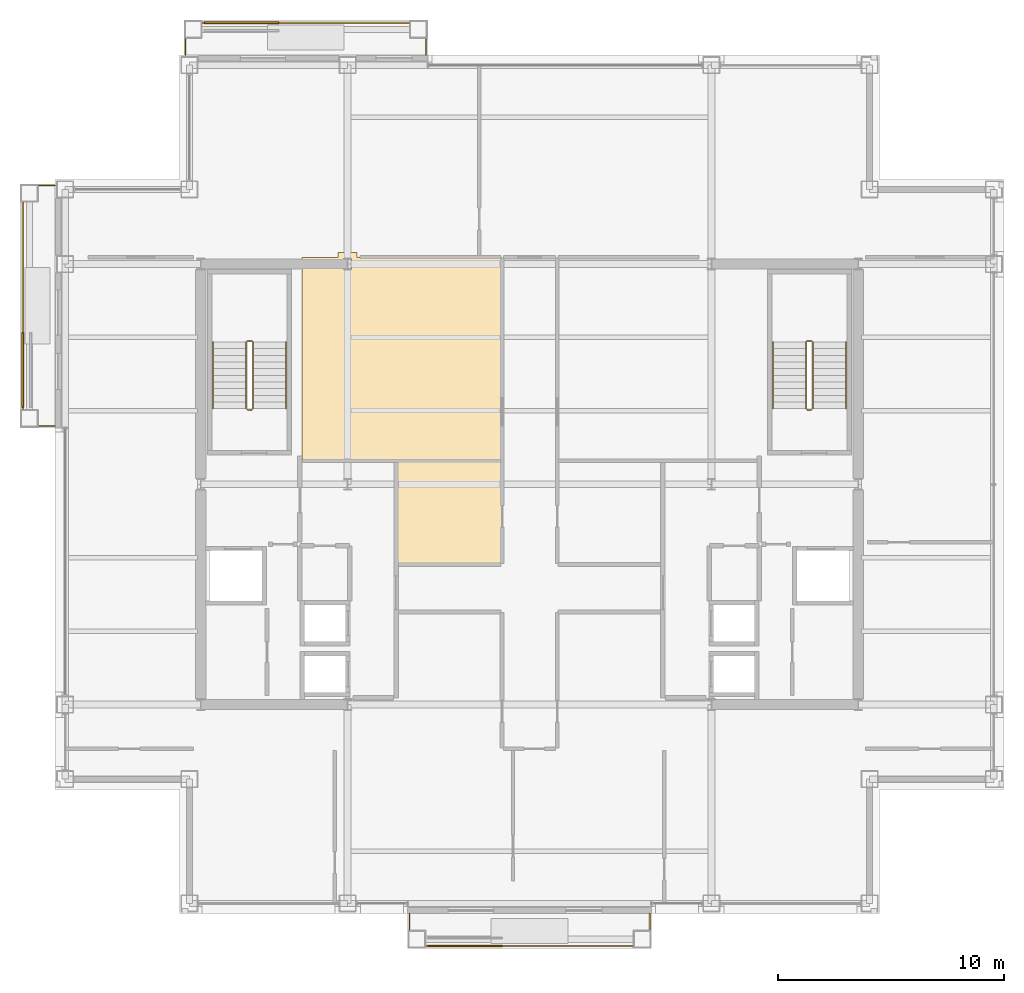
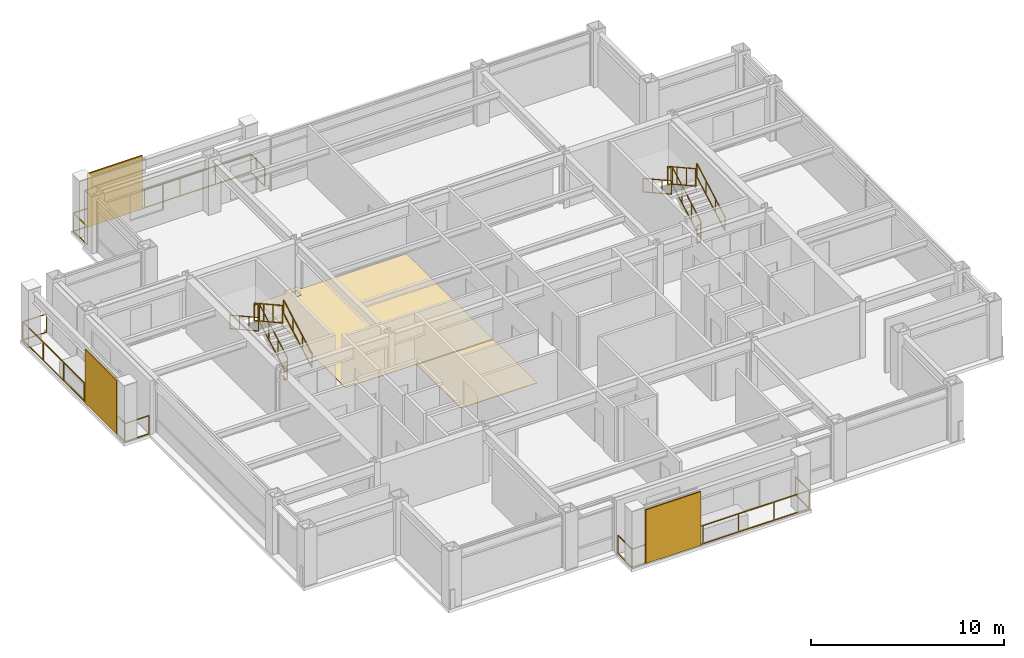
# One storey, part 26 of 27: 15 railings, 3 shading devices, 2 coverings.
"""IFC4 building model written with IfcOpenShell, lengths in metres."""

import ifcopenshell
import ifcopenshell.guid

model = None  # the IFC model being written
_history = None  # IfcOwnerHistory: only IFC2X3 demands one
_inside = {}  # id of a spatial element -> (the spatial element, [elements in it])
_under = {}  # id of a project, library or spatial element -> (it, [spatial elements below it])
_declared = {}  # id of a project -> (the project, [libraries it declares])
_typed = {}  # id of a type object -> (the type object, [elements of that type])
_made_of = {}  # id of a material, layer set ... -> (it, [elements and type objects made of it])


def new_model(schema):
    """Start an empty IFC model of exactly this schema.

    Asked for "IFC4X3", IfcOpenShell would pick the latest addendum, in which some entities
    have other attributes; the version numbers below select the first issue.
    IFC2X3 requires an IfcOwnerHistory on every rooted entity: one is made here for all.
    """
    global model, _history
    if schema == "IFC4X3":
        model = ifcopenshell.file(schema_version=(4, 3, 0, 0))
    else:
        model = ifcopenshell.file(schema=schema)
    _inside.clear()
    _under.clear()
    _declared.clear()
    _typed.clear()
    _made_of.clear()
    _history = None
    if model.schema == "IFC2X3":
        org = make("IfcOrganization", Name="unknown")
        user = make(
            "IfcPersonAndOrganization",
            ThePerson=make("IfcPerson", FamilyName="unknown"),
            TheOrganization=org,
        )
        app = make(
            "IfcApplication",
            ApplicationDeveloper=org,
            Version="unknown",
            ApplicationFullName="unknown",
            ApplicationIdentifier="unknown",
        )
        _history = make(
            "IfcOwnerHistory",
            OwningUser=user,
            OwningApplication=app,
            ChangeAction="ADDED",
            CreationDate=0,
        )
    return model


def make(cls, **values):
    """One entity of the class cls with the attributes given. An attribute that is None is left unset."""
    return model.create_entity(
        cls, **{name: value for name, value in values.items() if value is not None}
    )


def rooted(cls, **values):
    """An entity with a GlobalId (a new one), such as an element, a storey or a relation."""
    return make(cls, GlobalId=ifcopenshell.guid.new(), OwnerHistory=_history, **values)


def si_unit(unit_type, name, prefix=None):
    """IfcSIUnit, for example si_unit("LENGTHUNIT", "METRE", prefix="MILLI")."""
    return make("IfcSIUnit", UnitType=unit_type, Prefix=prefix, Name=name)


def assignment(units):
    """IfcUnitAssignment: the units of a project."""
    return None if units is None else make("IfcUnitAssignment", Units=units)


def point(xyz):
    """IfcCartesianPoint."""
    return None if xyz is None else make("IfcCartesianPoint", Coordinates=xyz)


def direction(xyz):
    """IfcDirection."""
    return None if xyz is None else make("IfcDirection", DirectionRatios=xyz)


def frame(location, z_axis=None, x_axis=None):
    """IfcAxis2Placement3D, a coordinate frame: its origin and axes. An axis left out is left unset."""
    return make(
        "IfcAxis2Placement3D",
        Location=point(location),
        Axis=direction(z_axis),
        RefDirection=direction(x_axis),
    )


def frame_2d(location, x_axis=None):
    """IfcAxis2Placement2D, a coordinate frame in the plane: its origin and x axis."""
    return make(
        "IfcAxis2Placement2D", Location=point(location), RefDirection=direction(x_axis)
    )


def origin():
    """The frame at (0, 0, 0) with its axes left unset."""
    return frame((0.0, 0.0, 0.0))


def origin_2d():
    """The frame at (0, 0) in the plane with its x axis left unset."""
    return frame_2d((0.0, 0.0))


def place(relative_to, where):
    """IfcLocalPlacement: puts the frame where relative to a parent placement (None: the world)."""
    return make(
        "IfcLocalPlacement", PlacementRelTo=relative_to, RelativePlacement=where
    )


def context(
    kind, dimensions, precision=None, world=None, true_north=None, identifier=None
):
    """IfcGeometricRepresentationContext, for example the 3D "Model" context."""
    return make(
        "IfcGeometricRepresentationContext",
        ContextIdentifier=identifier,
        ContextType=kind,
        CoordinateSpaceDimension=dimensions,
        Precision=precision,
        WorldCoordinateSystem=world,
        TrueNorth=true_north,
    )


def subcontext(parent, identifier, kind, view, scale=None):
    """IfcGeometricRepresentationSubContext, for example "Body" below "Model"."""
    return make(
        "IfcGeometricRepresentationSubContext",
        ContextIdentifier=identifier,
        ContextType=kind,
        ParentContext=parent,
        TargetScale=scale,
        TargetView=view,
    )


def project(units=None, contexts=None):
    """IfcProject with its units and contexts."""
    return rooted(
        "IfcProject",
        Name="project",
        RepresentationContexts=contexts,
        UnitsInContext=assignment(units),
    )


def spatial(cls, under=None, at=None, **own):
    """A site, building, storey or space (cls), placed at a placement, below another one or the project."""
    s = rooted(cls, ObjectPlacement=at, **own)
    if under is not None:
        _under.setdefault(under.id(), (under, []))[1].append(s)
    return s


def polyline(points):
    """IfcPolyline through the points."""
    return make("IfcPolyline", Points=[point(p) for p in points])


def profile(cls, at=None, kind="AREA", **sizes):
    """A parametric profile (cls). Its sizes go by their IFC names, for example OverallWidth=200.0."""
    return make(cls, ProfileType=kind, Position=at, **sizes)


def rectangle(**sizes):
    """IfcRectangleProfileDef."""
    return profile("IfcRectangleProfileDef", **sizes)


def outline(outer, holes=None, kind="AREA"):
    """IfcArbitraryClosedProfileDef: a profile drawn as a closed curve; with holes, ...WithVoids."""
    if holes is None:
        return make("IfcArbitraryClosedProfileDef", ProfileType=kind, OuterCurve=outer)
    return make(
        "IfcArbitraryProfileDefWithVoids",
        ProfileType=kind,
        OuterCurve=outer,
        InnerCurves=holes,
    )


def extrude(swept, where, along, depth):
    """IfcExtrudedAreaSolid: the profile swept, set in the frame where, extruded along a direction by depth."""
    return make(
        "IfcExtrudedAreaSolid",
        SweptArea=swept,
        Position=where,
        ExtrudedDirection=direction(along),
        Depth=depth,
    )


def shape(context_of_items, identifier, shape_type, items):
    """IfcShapeRepresentation: the items that make up one representation, for example the "Body"."""
    return make(
        "IfcShapeRepresentation",
        ContextOfItems=context_of_items,
        RepresentationIdentifier=identifier,
        RepresentationType=shape_type,
        Items=items,
    )


def material(Name=None, Category=None):
    """IfcMaterial."""
    return make("IfcMaterial", Name=Name, Category=Category)


def layer(
    of_material, thickness, ventilated=None, Name=None, Category=None, Priority=None
):
    """IfcMaterialLayer: one layer of a wall or slab, of a material (None: an air gap)."""
    return make(
        "IfcMaterialLayer",
        Material=of_material,
        LayerThickness=thickness,
        IsVentilated=ventilated,
        Name=Name,
        Category=Category,
        Priority=Priority,
    )


def layer_set(layers, Name=None):
    """IfcMaterialLayerSet."""
    return make("IfcMaterialLayerSet", MaterialLayers=layers, LayerSetName=Name)


def made_of(thing, what):
    """Note that an element or type object is made of a material, layer set ...; save() writes the relation."""
    if what is not None:
        _made_of.setdefault(what.id(), (what, []))[1].append(thing)
    return thing


def type_object(cls, material=None, **own):
    """A type object (cls), such as IfcWallType, which elements share."""
    return made_of(rooted(cls, **own), material)


def element(
    cls,
    number,
    at=None,
    inside=None,
    cuts=None,
    type_object=None,
    material=None,
    context=None,
    identifier="Body",
    shape_type=None,
    held_by="IfcProductDefinitionShape",
    body=None,
    shapes=None,
    **own,
):
    """One element of the class cls, such as IfcWall. Its Tag is "e" and its number.

    at: its placement. inside: the storey or other place that contains it. cuts: it is an
    opening in that element (IfcRelVoidsElement). A single representation is given by context,
    identifier, shape_type and body (its items); several are given by shapes. held_by: the class
    of the entity that holds the representations. save() writes the other relations.
    """
    e = rooted(cls, Tag="e%d" % number, ObjectPlacement=at, **own)
    if body is not None:
        shapes = [shape(context, identifier, shape_type, body)]
    if shapes is not None:
        e.Representation = make(held_by, Representations=shapes)
    if inside is not None:
        _inside.setdefault(inside.id(), (inside, []))[1].append(e)
    if cuts is not None:
        rooted(
            "IfcRelVoidsElement", RelatingBuildingElement=cuts, RelatedOpeningElement=e
        )
    if type_object is not None:
        _typed.setdefault(type_object.id(), (type_object, []))[1].append(e)
    return made_of(e, material)


def aggregate(whole, parts):
    """IfcRelAggregates: a whole, such as a stair, and the parts it consists of."""
    return rooted("IfcRelAggregates", RelatingObject=whole, RelatedObjects=parts)


def save(model, path):
    """Write the relations noted so far, then the file.

    IfcRelAggregates (storeys below a building ...), IfcRelContainedInSpatialStructure (elements
    in a storey), IfcRelDefinesByType, IfcRelAssociatesMaterial and IfcRelDeclares: one each for
    every whole, place, type object, material and project.
    """
    for whole, parts in _under.values():
        aggregate(whole, parts)
    for where, things in _inside.values():
        rooted(
            "IfcRelContainedInSpatialStructure",
            RelatedElements=things,
            RelatingStructure=where,
        )
    for kind, things in _typed.values():
        rooted("IfcRelDefinesByType", RelatedObjects=things, RelatingType=kind)
    for what, things in _made_of.values():
        rooted("IfcRelAssociatesMaterial", RelatedObjects=things, RelatingMaterial=what)
    for by, libraries in _declared.values():
        rooted("IfcRelDeclares", RelatingContext=by, RelatedDefinitions=libraries)
    model.write(path)


model = new_model("IFC4")

# Units and contexts
model_context = context("Model", 3, precision=1e-05, world=origin(), true_north=direction((0.0, 1.0)))
body_context = subcontext(model_context, "Body", "Model", "MODEL_VIEW")
ifc_project = project(units=[si_unit("LENGTHUNIT", "METRE"), si_unit("AREAUNIT", "SQUARE_METRE"), si_unit("VOLUMEUNIT", "CUBIC_METRE"), si_unit("PLANEANGLEUNIT", "RADIAN"), si_unit("MASSUNIT", "GRAM", prefix="KILO")], contexts=[model_context])

# Site, building, storey
site_placement = place(None, origin())
site = spatial("IfcSite", under=ifc_project, at=site_placement, CompositionType="ELEMENT")
building_placement = place(site_placement, origin())
building = spatial("IfcBuilding", under=site, at=building_placement, Name="Brelmoor Portico Tower", CompositionType="ELEMENT")
storey_placement = place(building_placement, frame((0.0, 0.0, 158.699951171875)))
storey = spatial("IfcBuildingStorey", under=building, at=storey_placement, Name="L41", CompositionType="ELEMENT", Elevation=158.699951171875)

# Coverings
ifc_material_1 = material(Name="Polished Pale-Aggregate Cementitious Terrazzo", Category="stone")
ifc_layer_1 = layer(ifc_material_1, 0.030029296875)
ifc_layer_set_1 = layer_set([ifc_layer_1], Name="Polished Pale-Aggregate Cementitious Terrazzo")
covering_type_1 = type_object("IfcCoveringType", Name="CV-FLR-TERRAZZO-30", PredefinedType="FLOORING", material=ifc_layer_set_1)
covering_1_placement = place(storey_placement, origin())
element("IfcCovering", 1, at=covering_1_placement, inside=storey, type_object=covering_type_1, Name="L41 Architectural Floor Finish 02", PredefinedType="FLOORING", context=body_context, shape_type="SweptSolid", body=[
    extrude(outline(polyline([(-5.820068359375, -3.510009765625), (-5.820068359375, 1.0400390625), (-1.239990234375, 1.0400390625), (-1.239990234375, -3.510009765625), (-5.820068359375, -3.510009765625)])), origin(), (0.0, 0.0, 1.0), 0.030029296875),
])
ifc_material_2 = material(Name="Engineered Quarter-Sawn Oak Parquet Flooring", Category="timber")
ifc_layer_2 = layer(ifc_material_2, 0.02197265625)
ifc_layer_set_2 = layer_set([ifc_layer_2], Name="Engineered Quarter-Sawn Oak Parquet Flooring")
covering_type_2 = type_object("IfcCoveringType", Name="CV-FLR-TIMBER-22", PredefinedType="FLOORING", material=ifc_layer_set_2)
covering_2_placement = place(storey_placement, origin())
element("IfcCovering", 2, at=covering_2_placement, inside=storey, type_object=covering_type_2, Name="L41 Architectural Floor Finish 01", PredefinedType="FLOORING", context=body_context, shape_type="SweptSolid", body=[
    extrude(outline(polyline([(-10.080078125, 10.030029296875), (-8.47509765625, 10.030029296875), (-8.47509765625, 10.25), (-7.625, 10.25), (-7.625, 10.030029296875), (-1.239990234375, 10.030029296875), (-1.239990234375, 1.090087890625), (-10.080078125, 1.090087890625), (-10.080078125, 10.030029296875)]), holes=[polyline([(-7.875, 9.5), (-7.875, 10.0), (-8.22509765625, 10.0), (-8.22509765625, 9.5), (-7.875, 9.5)])]), origin(), (0.0, 0.0, 1.0), 0.02197265625),
])

# Railings
ifc_material_3 = material(Name="Perforated Pale Champagne Aluminium Fretwork Guard", Category="aluminium")
railing_type_1 = type_object("IfcRailingType", Name="RL-BALUSTRADE-1200", PredefinedType="BALUSTRADE", material=ifc_material_3)
railing_1_placement = place(storey_placement, frame((-5.320068359375, -19.0, 0.0)))
element("IfcRailing", 3, at=railing_1_placement, inside=storey, type_object=railing_type_1, Name="L41 Tree Balcony Fretwork Balustrade S", PredefinedType="BALUSTRADE", context=body_context, shape_type="SweptSolid", body=[
    extrude(rectangle(XDim=0.048095703125, YDim=0.048095703125, at=origin_2d()), frame((0.0, 0.0, 1.17578125), z_axis=(0.0, -1.0, 0.0), x_axis=(1.0, 0.0, 0.0)), (0.0, 0.0, 1.0), 1.429931640625),
    extrude(rectangle(XDim=0.048095703125, YDim=0.048095703125, at=origin_2d()), frame((0.0, 0.0, 0.02392578125), z_axis=(0.0, -1.0, 0.0), x_axis=(1.0, 0.0, 0.0)), (0.0, 0.0, 1.0), 1.429931640625),
    extrude(rectangle(XDim=0.048095703125, YDim=0.048095703125, at=origin_2d()), frame((0.0, -1.429931640625, 1.17578125), z_axis=(1.0, 0.0, 0.0), x_axis=(0.0, 1.0, 0.0)), (0.0, 0.0, 1.0), 10.64013671875),
    extrude(rectangle(XDim=0.048095703125, YDim=0.048095703125, at=origin_2d()), frame((0.0, -1.429931640625, 0.02392578125), z_axis=(1.0, 0.0, 0.0), x_axis=(0.0, 1.0, 0.0)), (0.0, 0.0, 1.0), 10.64013671875),
    extrude(rectangle(XDim=0.048095703125, YDim=0.048095703125, at=origin_2d()), frame((10.64013671875, -1.429931640625, 1.17578125), z_axis=(0.0, 1.0, 0.0), x_axis=(-1.0, 0.0, 0.0)), (0.0, 0.0, 1.0), 1.429931640625),
    extrude(rectangle(XDim=0.048095703125, YDim=0.048095703125, at=origin_2d()), frame((10.64013671875, -1.429931640625, 0.02392578125), z_axis=(0.0, 1.0, 0.0), x_axis=(-1.0, 0.0, 0.0)), (0.0, 0.0, 1.0), 1.429931640625),
    extrude(rectangle(XDim=0.0419921875, YDim=0.0419921875, at=origin_2d()), origin(), (0.0, 0.0, 1.0), 1.15185546875),
    extrude(rectangle(XDim=0.0419921875, YDim=0.0419921875, at=origin_2d()), frame((0.0, -1.429931640625, 0.0)), (0.0, 0.0, 1.0), 1.15185546875),
    extrude(rectangle(XDim=0.0419921875, YDim=0.0419921875, at=origin_2d()), frame((2.1279296875, -1.429931640625, 0.0)), (0.0, 0.0, 1.0), 1.15185546875),
    extrude(rectangle(XDim=0.0419921875, YDim=0.0419921875, at=origin_2d()), frame((4.256103515625, -1.429931640625, 0.0)), (0.0, 0.0, 1.0), 1.15185546875),
    extrude(rectangle(XDim=0.0419921875, YDim=0.0419921875, at=origin_2d()), frame((6.384033203125, -1.429931640625, 0.0)), (0.0, 0.0, 1.0), 1.15185546875),
    extrude(rectangle(XDim=0.0419921875, YDim=0.0419921875, at=origin_2d()), frame((8.51220703125, -1.429931640625, 0.0)), (0.0, 0.0, 1.0), 1.15185546875),
    extrude(rectangle(XDim=0.0419921875, YDim=0.0419921875, at=origin_2d()), frame((10.64013671875, -1.429931640625, 0.0)), (0.0, 0.0, 1.0), 1.15185546875),
    extrude(rectangle(XDim=0.0419921875, YDim=0.0419921875, at=origin_2d()), frame((10.64013671875, 0.0, 0.0)), (0.0, 0.0, 1.0), 1.15185546875),
])
railing_2_placement = place(storey_placement, frame((-15.219970703125, 19.0, 0.0)))
element("IfcRailing", 4, at=railing_2_placement, inside=storey, type_object=railing_type_1, Name="L41 Tree Balcony Fretwork Balustrade N", PredefinedType="BALUSTRADE", context=body_context, shape_type="SweptSolid", body=[
    extrude(rectangle(XDim=0.048095703125, YDim=0.048095703125, at=origin_2d()), frame((0.0, 0.0, 1.17578125), z_axis=(0.0, 1.0, 0.0), x_axis=(-1.0, 0.0, 0.0)), (0.0, 0.0, 1.0), 1.429931640625),
    extrude(rectangle(XDim=0.048095703125, YDim=0.048095703125, at=origin_2d()), frame((0.0, 0.0, 0.02392578125), z_axis=(0.0, 1.0, 0.0), x_axis=(-1.0, 0.0, 0.0)), (0.0, 0.0, 1.0), 1.429931640625),
    extrude(rectangle(XDim=0.048095703125, YDim=0.048095703125, at=origin_2d()), frame((0.0, 1.429931640625, 1.17578125), z_axis=(1.0, 0.0, 0.0), x_axis=(0.0, 1.0, 0.0)), (0.0, 0.0, 1.0), 10.639892578125),
    extrude(rectangle(XDim=0.048095703125, YDim=0.048095703125, at=origin_2d()), frame((0.0, 1.429931640625, 0.02392578125), z_axis=(1.0, 0.0, 0.0), x_axis=(0.0, 1.0, 0.0)), (0.0, 0.0, 1.0), 10.639892578125),
    extrude(rectangle(XDim=0.048095703125, YDim=0.048095703125, at=origin_2d()), frame((10.639892578125, 1.429931640625, 1.17578125), z_axis=(0.0, -1.0, 0.0), x_axis=(1.0, 0.0, 0.0)), (0.0, 0.0, 1.0), 1.429931640625),
    extrude(rectangle(XDim=0.048095703125, YDim=0.048095703125, at=origin_2d()), frame((10.639892578125, 1.429931640625, 0.02392578125), z_axis=(0.0, -1.0, 0.0), x_axis=(1.0, 0.0, 0.0)), (0.0, 0.0, 1.0), 1.429931640625),
    extrude(rectangle(XDim=0.0419921875, YDim=0.0419921875, at=origin_2d()), origin(), (0.0, 0.0, 1.0), 1.15185546875),
    extrude(rectangle(XDim=0.0419921875, YDim=0.0419921875, at=origin_2d()), frame((0.0, 1.429931640625, 0.0)), (0.0, 0.0, 1.0), 1.15185546875),
    extrude(rectangle(XDim=0.0419921875, YDim=0.0419921875, at=origin_2d()), frame((2.1279296875, 1.429931640625, 0.0)), (0.0, 0.0, 1.0), 1.15185546875),
    extrude(rectangle(XDim=0.0419921875, YDim=0.0419921875, at=origin_2d()), frame((4.255859375, 1.429931640625, 0.0)), (0.0, 0.0, 1.0), 1.15185546875),
    extrude(rectangle(XDim=0.0419921875, YDim=0.0419921875, at=origin_2d()), frame((6.384033203125, 1.429931640625, 0.0)), (0.0, 0.0, 1.0), 1.15185546875),
    extrude(rectangle(XDim=0.0419921875, YDim=0.0419921875, at=origin_2d()), frame((8.511962890625, 1.429931640625, 0.0)), (0.0, 0.0, 1.0), 1.15185546875),
    extrude(rectangle(XDim=0.0419921875, YDim=0.0419921875, at=origin_2d()), frame((10.639892578125, 1.429931640625, 0.0)), (0.0, 0.0, 1.0), 1.15185546875),
    extrude(rectangle(XDim=0.0419921875, YDim=0.0419921875, at=origin_2d()), frame((10.639892578125, 0.0, 0.0)), (0.0, 0.0, 1.0), 1.15185546875),
])
railing_3_placement = place(storey_placement, frame((-21.0, 2.580078125, 0.0)))
element("IfcRailing", 5, at=railing_3_placement, inside=storey, type_object=railing_type_1, Name="L41 Tree Balcony Fretwork Balustrade W", PredefinedType="BALUSTRADE", context=body_context, shape_type="SweptSolid", body=[
    extrude(rectangle(XDim=0.048095703125, YDim=0.048095703125, at=origin_2d()), frame((0.0, 0.0, 1.17578125), z_axis=(-1.0, 0.0, 0.0), x_axis=(0.0, -1.0, 0.0)), (0.0, 0.0, 1.0), 1.429931640625),
    extrude(rectangle(XDim=0.048095703125, YDim=0.048095703125, at=origin_2d()), frame((0.0, 0.0, 0.02392578125), z_axis=(-1.0, 0.0, 0.0), x_axis=(0.0, -1.0, 0.0)), (0.0, 0.0, 1.0), 1.429931640625),
    extrude(rectangle(XDim=0.048095703125, YDim=0.048095703125, at=origin_2d()), frame((-1.429931640625, 0.0, 1.17578125), z_axis=(0.0, 1.0, 0.0), x_axis=(-1.0, 0.0, 0.0)), (0.0, 0.0, 1.0), 10.639892578125),
    extrude(rectangle(XDim=0.048095703125, YDim=0.048095703125, at=origin_2d()), frame((-1.429931640625, 0.0, 0.02392578125), z_axis=(0.0, 1.0, 0.0), x_axis=(-1.0, 0.0, 0.0)), (0.0, 0.0, 1.0), 10.639892578125),
    extrude(rectangle(XDim=0.048095703125, YDim=0.048095703125, at=origin_2d()), frame((-1.429931640625, 10.639892578125, 1.17578125), z_axis=(1.0, 0.0, 0.0), x_axis=(0.0, 1.0, 0.0)), (0.0, 0.0, 1.0), 1.429931640625),
    extrude(rectangle(XDim=0.048095703125, YDim=0.048095703125, at=origin_2d()), frame((-1.429931640625, 10.639892578125, 0.02392578125), z_axis=(1.0, 0.0, 0.0), x_axis=(0.0, 1.0, 0.0)), (0.0, 0.0, 1.0), 1.429931640625),
    extrude(rectangle(XDim=0.0419921875, YDim=0.0419921875, at=origin_2d()), origin(), (0.0, 0.0, 1.0), 1.15185546875),
    extrude(rectangle(XDim=0.0419921875, YDim=0.0419921875, at=origin_2d()), frame((-1.429931640625, 0.0, 0.0)), (0.0, 0.0, 1.0), 1.15185546875),
    extrude(rectangle(XDim=0.0419921875, YDim=0.0419921875, at=origin_2d()), frame((-1.429931640625, 2.1279296875, 0.0)), (0.0, 0.0, 1.0), 1.15185546875),
    extrude(rectangle(XDim=0.0419921875, YDim=0.0419921875, at=origin_2d()), frame((-1.429931640625, 4.255859375, 0.0)), (0.0, 0.0, 1.0), 1.15185546875),
    extrude(rectangle(XDim=0.0419921875, YDim=0.0419921875, at=origin_2d()), frame((-1.429931640625, 6.384033203125, 0.0)), (0.0, 0.0, 1.0), 1.15185546875),
    extrude(rectangle(XDim=0.0419921875, YDim=0.0419921875, at=origin_2d()), frame((-1.429931640625, 8.511962890625, 0.0)), (0.0, 0.0, 1.0), 1.15185546875),
    extrude(rectangle(XDim=0.0419921875, YDim=0.0419921875, at=origin_2d()), frame((-1.429931640625, 10.639892578125, 0.0)), (0.0, 0.0, 1.0), 1.15185546875),
    extrude(rectangle(XDim=0.0419921875, YDim=0.0419921875, at=origin_2d()), frame((0.0, 10.639892578125, 0.0)), (0.0, 0.0, 1.0), 1.15185546875),
])
ifc_material_4 = material(Name="Painted Tubular Steel Q235B", Category="steel")
railing_type_2 = type_object("IfcRailingType", Name="RL-STAIR-GUARD", PredefinedType="GUARDRAIL", material=ifc_material_4)
railing_4_placement = place(storey_placement, frame((-12.239990234375, 3.35009765625, 0.16357421875)))
element("IfcRailing", 6, at=railing_4_placement, inside=storey, type_object=railing_type_2, Name="L41 ST-W stair guard 1", PredefinedType="GUARDRAIL", context=body_context, shape_type="SweptSolid", body=[
    extrude(rectangle(XDim=0.048095703125, YDim=0.048095703125, at=origin_2d()), frame((0.0, 0.0, 1.1259765625), z_axis=(0.0, 0.874457516365, 0.485102104791), x_axis=(-1.0, 0.0, 0.0)), (0.0, 0.0, 1.0), 3.37353515625),
    extrude(rectangle(XDim=0.048095703125, YDim=0.048095703125, at=origin_2d()), frame((0.0, 0.0, 0.02392578125), z_axis=(0.0, 0.874457516365, 0.485102104791), x_axis=(-1.0, 0.0, 0.0)), (0.0, 0.0, 1.0), 3.37353515625),
    extrude(rectangle(XDim=0.0419921875, YDim=0.0419921875, at=origin_2d()), origin(), (0.0, 0.0, 1.0), 1.101806640625),
    extrude(rectangle(XDim=0.0419921875, YDim=0.0419921875, at=origin_2d()), frame((0.0, 0.9833984375, 0.54541015625)), (0.0, 0.0, 1.0), 1.101806640625),
    extrude(rectangle(XDim=0.0419921875, YDim=0.0419921875, at=origin_2d()), frame((0.0, 1.966552734375, 1.091064453125)), (0.0, 0.0, 1.0), 1.101806640625),
    extrude(rectangle(XDim=0.0419921875, YDim=0.0419921875, at=origin_2d()), frame((0.0, 2.949951171875, 1.636474609375)), (0.0, 0.0, 1.0), 1.101806640625),
])
railing_5_placement = place(storey_placement, frame((-12.2900390625, 6.35009765625, 1.800048828125)))
element("IfcRailing", 7, at=railing_5_placement, inside=storey, type_object=railing_type_2, Name="L41 ST-W stair guard 2", PredefinedType="GUARDRAIL", context=body_context, shape_type="SweptSolid", body=[
    extrude(rectangle(XDim=0.048095703125, YDim=0.048095703125, at=origin_2d()), frame((0.0, 0.0, 1.1259765625), z_axis=(-1.0, 0.0, 0.0), x_axis=(0.0, -1.0, 0.0)), (0.0, 0.0, 1.0), 0.199951171875),
    extrude(rectangle(XDim=0.048095703125, YDim=0.048095703125, at=origin_2d()), frame((0.0, 0.0, 0.02392578125), z_axis=(-1.0, 0.0, 0.0), x_axis=(0.0, -1.0, 0.0)), (0.0, 0.0, 1.0), 0.199951171875),
    extrude(rectangle(XDim=0.0419921875, YDim=0.0419921875, at=origin_2d()), origin(), (0.0, 0.0, 1.0), 1.101806640625),
    extrude(rectangle(XDim=0.0419921875, YDim=0.0419921875, at=origin_2d()), frame((-0.199951171875, 0.0, 0.0)), (0.0, 0.0, 1.0), 1.101806640625),
])
railing_6_placement = place(storey_placement, frame((-12.5400390625, 6.300048828125, 1.963623046875)))
element("IfcRailing", 8, at=railing_6_placement, inside=storey, type_object=railing_type_2, Name="L41 ST-W stair guard 3", PredefinedType="GUARDRAIL", context=body_context, shape_type="SweptSolid", body=[
    extrude(rectangle(XDim=0.048095703125, YDim=0.048095703125, at=origin_2d()), frame((0.0, 0.0, 1.1259765625), z_axis=(0.0, -0.874457516365, 0.485102104791), x_axis=(1.0, 0.0, 0.0)), (0.0, 0.0, 1.0), 3.37353515625),
    extrude(rectangle(XDim=0.048095703125, YDim=0.048095703125, at=origin_2d()), frame((0.0, 0.0, 0.02392578125), z_axis=(0.0, -0.874457516365, 0.485102104791), x_axis=(1.0, 0.0, 0.0)), (0.0, 0.0, 1.0), 3.37353515625),
    extrude(rectangle(XDim=0.0419921875, YDim=0.0419921875, at=origin_2d()), origin(), (0.0, 0.0, 1.0), 1.101806640625),
    extrude(rectangle(XDim=0.0419921875, YDim=0.0419921875, at=origin_2d()), frame((0.0, -0.9833984375, 0.54541015625)), (0.0, 0.0, 1.0), 1.101806640625),
    extrude(rectangle(XDim=0.0419921875, YDim=0.0419921875, at=origin_2d()), frame((0.0, -1.966552734375, 1.091064453125)), (0.0, 0.0, 1.0), 1.101806640625),
    extrude(rectangle(XDim=0.0419921875, YDim=0.0419921875, at=origin_2d()), frame((0.0, -2.949951171875, 1.636474609375)), (0.0, 0.0, 1.0), 1.101806640625),
])
railing_7_placement = place(storey_placement, frame((-12.2900390625, 3.300048828125, 0.0)))
element("IfcRailing", 9, at=railing_7_placement, inside=storey, type_object=railing_type_2, Name="L41 ST-W stair guard 4", PredefinedType="GUARDRAIL", context=body_context, shape_type="SweptSolid", body=[
    extrude(rectangle(XDim=0.048095703125, YDim=0.048095703125, at=origin_2d()), frame((0.0, 0.0, 1.1259765625), z_axis=(-1.0, 0.0, 0.0), x_axis=(0.0, -1.0, 0.0)), (0.0, 0.0, 1.0), 0.199951171875),
    extrude(rectangle(XDim=0.048095703125, YDim=0.048095703125, at=origin_2d()), frame((0.0, 0.0, 0.02392578125), z_axis=(-1.0, 0.0, 0.0), x_axis=(0.0, -1.0, 0.0)), (0.0, 0.0, 1.0), 0.199951171875),
    extrude(rectangle(XDim=0.0419921875, YDim=0.0419921875, at=origin_2d()), origin(), (0.0, 0.0, 1.0), 1.101806640625),
    extrude(rectangle(XDim=0.0419921875, YDim=0.0419921875, at=origin_2d()), frame((-0.199951171875, 0.0, 0.0)), (0.0, 0.0, 1.0), 1.101806640625),
])
railing_8_placement = place(storey_placement, frame((12.5400390625, 3.35009765625, 0.16357421875)))
element("IfcRailing", 10, at=railing_8_placement, inside=storey, type_object=railing_type_2, Name="L41 ST-E stair guard 1", PredefinedType="GUARDRAIL", context=body_context, shape_type="SweptSolid", body=[
    extrude(rectangle(XDim=0.048095703125, YDim=0.048095703125, at=origin_2d()), frame((0.0, 0.0, 1.1259765625), z_axis=(0.0, 0.874457516365, 0.485102104791), x_axis=(-1.0, 0.0, 0.0)), (0.0, 0.0, 1.0), 3.37353515625),
    extrude(rectangle(XDim=0.048095703125, YDim=0.048095703125, at=origin_2d()), frame((0.0, 0.0, 0.02392578125), z_axis=(0.0, 0.874457516365, 0.485102104791), x_axis=(-1.0, 0.0, 0.0)), (0.0, 0.0, 1.0), 3.37353515625),
    extrude(rectangle(XDim=0.0419921875, YDim=0.0419921875, at=origin_2d()), origin(), (0.0, 0.0, 1.0), 1.101806640625),
    extrude(rectangle(XDim=0.0419921875, YDim=0.0419921875, at=origin_2d()), frame((0.0, 0.9833984375, 0.54541015625)), (0.0, 0.0, 1.0), 1.101806640625),
    extrude(rectangle(XDim=0.0419921875, YDim=0.0419921875, at=origin_2d()), frame((0.0, 1.966552734375, 1.091064453125)), (0.0, 0.0, 1.0), 1.101806640625),
    extrude(rectangle(XDim=0.0419921875, YDim=0.0419921875, at=origin_2d()), frame((0.0, 2.949951171875, 1.636474609375)), (0.0, 0.0, 1.0), 1.101806640625),
])
railing_9_placement = place(storey_placement, frame((12.489990234375, 6.35009765625, 1.800048828125)))
element("IfcRailing", 11, at=railing_9_placement, inside=storey, type_object=railing_type_2, Name="L41 ST-E stair guard 2", PredefinedType="GUARDRAIL", context=body_context, shape_type="SweptSolid", body=[
    extrude(rectangle(XDim=0.048095703125, YDim=0.048095703125, at=origin_2d()), frame((0.0, 0.0, 1.1259765625), z_axis=(-1.0, 0.0, 0.0), x_axis=(0.0, -1.0, 0.0)), (0.0, 0.0, 1.0), 0.199951171875),
    extrude(rectangle(XDim=0.048095703125, YDim=0.048095703125, at=origin_2d()), frame((0.0, 0.0, 0.02392578125), z_axis=(-1.0, 0.0, 0.0), x_axis=(0.0, -1.0, 0.0)), (0.0, 0.0, 1.0), 0.199951171875),
    extrude(rectangle(XDim=0.0419921875, YDim=0.0419921875, at=origin_2d()), origin(), (0.0, 0.0, 1.0), 1.101806640625),
    extrude(rectangle(XDim=0.0419921875, YDim=0.0419921875, at=origin_2d()), frame((-0.199951171875, 0.0, 0.0)), (0.0, 0.0, 1.0), 1.101806640625),
])
railing_10_placement = place(storey_placement, frame((12.239990234375, 6.300048828125, 1.963623046875)))
element("IfcRailing", 12, at=railing_10_placement, inside=storey, type_object=railing_type_2, Name="L41 ST-E stair guard 3", PredefinedType="GUARDRAIL", context=body_context, shape_type="SweptSolid", body=[
    extrude(rectangle(XDim=0.048095703125, YDim=0.048095703125, at=origin_2d()), frame((0.0, 0.0, 1.1259765625), z_axis=(0.0, -0.874457516365, 0.485102104791), x_axis=(1.0, 0.0, 0.0)), (0.0, 0.0, 1.0), 3.37353515625),
    extrude(rectangle(XDim=0.048095703125, YDim=0.048095703125, at=origin_2d()), frame((0.0, 0.0, 0.02392578125), z_axis=(0.0, -0.874457516365, 0.485102104791), x_axis=(1.0, 0.0, 0.0)), (0.0, 0.0, 1.0), 3.37353515625),
    extrude(rectangle(XDim=0.0419921875, YDim=0.0419921875, at=origin_2d()), origin(), (0.0, 0.0, 1.0), 1.101806640625),
    extrude(rectangle(XDim=0.0419921875, YDim=0.0419921875, at=origin_2d()), frame((0.0, -0.9833984375, 0.54541015625)), (0.0, 0.0, 1.0), 1.101806640625),
    extrude(rectangle(XDim=0.0419921875, YDim=0.0419921875, at=origin_2d()), frame((0.0, -1.966552734375, 1.091064453125)), (0.0, 0.0, 1.0), 1.101806640625),
    extrude(rectangle(XDim=0.0419921875, YDim=0.0419921875, at=origin_2d()), frame((0.0, -2.949951171875, 1.636474609375)), (0.0, 0.0, 1.0), 1.101806640625),
])
railing_11_placement = place(storey_placement, frame((12.489990234375, 3.300048828125, 0.0)))
element("IfcRailing", 13, at=railing_11_placement, inside=storey, type_object=railing_type_2, Name="L41 ST-E stair guard 4", PredefinedType="GUARDRAIL", context=body_context, shape_type="SweptSolid", body=[
    extrude(rectangle(XDim=0.048095703125, YDim=0.048095703125, at=origin_2d()), frame((0.0, 0.0, 1.1259765625), z_axis=(-1.0, 0.0, 0.0), x_axis=(0.0, -1.0, 0.0)), (0.0, 0.0, 1.0), 0.199951171875),
    extrude(rectangle(XDim=0.048095703125, YDim=0.048095703125, at=origin_2d()), frame((0.0, 0.0, 0.02392578125), z_axis=(-1.0, 0.0, 0.0), x_axis=(0.0, -1.0, 0.0)), (0.0, 0.0, 1.0), 0.199951171875),
    extrude(rectangle(XDim=0.0419921875, YDim=0.0419921875, at=origin_2d()), origin(), (0.0, 0.0, 1.0), 1.101806640625),
    extrude(rectangle(XDim=0.0419921875, YDim=0.0419921875, at=origin_2d()), frame((-0.199951171875, 0.0, 0.0)), (0.0, 0.0, 1.0), 1.101806640625),
])
ifc_material_5 = material(Name="Brushed Stainless Steel 304", Category="steel")
railing_type_3 = type_object("IfcRailingType", Name="RL-STAIR-HANDRAIL", PredefinedType="HANDRAIL", material=ifc_material_5)
railing_12_placement = place(storey_placement, frame((-10.780029296875, 3.35009765625, 0.16357421875)))
element("IfcRailing", 14, at=railing_12_placement, inside=storey, type_object=railing_type_3, Name="L41 ST-W stair handrail 1", PredefinedType="HANDRAIL", context=body_context, shape_type="SweptSolid", body=[
    extrude(rectangle(XDim=0.048095703125, YDim=0.048095703125, at=origin_2d()), frame((0.0, 0.0, 0.8759765625), z_axis=(0.0, 0.874457516365, 0.485102104791), x_axis=(-1.0, 0.0, 0.0)), (0.0, 0.0, 1.0), 3.37353515625),
    extrude(rectangle(XDim=0.048095703125, YDim=0.048095703125, at=origin_2d()), frame((0.0, 0.0, 0.02392578125), z_axis=(0.0, 0.874457516365, 0.485102104791), x_axis=(-1.0, 0.0, 0.0)), (0.0, 0.0, 1.0), 3.37353515625),
    extrude(rectangle(XDim=0.0419921875, YDim=0.0419921875, at=origin_2d()), origin(), (0.0, 0.0, 1.0), 0.851806640625),
    extrude(rectangle(XDim=0.0419921875, YDim=0.0419921875, at=origin_2d()), frame((0.0, 0.9833984375, 0.54541015625)), (0.0, 0.0, 1.0), 0.851806640625),
    extrude(rectangle(XDim=0.0419921875, YDim=0.0419921875, at=origin_2d()), frame((0.0, 1.966552734375, 1.091064453125)), (0.0, 0.0, 1.0), 0.851806640625),
    extrude(rectangle(XDim=0.0419921875, YDim=0.0419921875, at=origin_2d()), frame((0.0, 2.949951171875, 1.636474609375)), (0.0, 0.0, 1.0), 0.851806640625),
])
railing_13_placement = place(storey_placement, frame((-14.0, 6.300048828125, 1.963623046875)))
element("IfcRailing", 15, at=railing_13_placement, inside=storey, type_object=railing_type_3, Name="L41 ST-W stair handrail 2", PredefinedType="HANDRAIL", context=body_context, shape_type="SweptSolid", body=[
    extrude(rectangle(XDim=0.048095703125, YDim=0.048095703125, at=origin_2d()), frame((0.0, 0.0, 0.8759765625), z_axis=(0.0, -0.874457516365, 0.485102104791), x_axis=(1.0, 0.0, 0.0)), (0.0, 0.0, 1.0), 3.37353515625),
    extrude(rectangle(XDim=0.048095703125, YDim=0.048095703125, at=origin_2d()), frame((0.0, 0.0, 0.02392578125), z_axis=(0.0, -0.874457516365, 0.485102104791), x_axis=(1.0, 0.0, 0.0)), (0.0, 0.0, 1.0), 3.37353515625),
    extrude(rectangle(XDim=0.0419921875, YDim=0.0419921875, at=origin_2d()), origin(), (0.0, 0.0, 1.0), 0.851806640625),
    extrude(rectangle(XDim=0.0419921875, YDim=0.0419921875, at=origin_2d()), frame((0.0, -0.9833984375, 0.54541015625)), (0.0, 0.0, 1.0), 0.851806640625),
    extrude(rectangle(XDim=0.0419921875, YDim=0.0419921875, at=origin_2d()), frame((0.0, -1.966552734375, 1.091064453125)), (0.0, 0.0, 1.0), 0.851806640625),
    extrude(rectangle(XDim=0.0419921875, YDim=0.0419921875, at=origin_2d()), frame((0.0, -2.949951171875, 1.636474609375)), (0.0, 0.0, 1.0), 0.851806640625),
])
railing_14_placement = place(storey_placement, frame((14.0, 3.35009765625, 0.16357421875)))
element("IfcRailing", 16, at=railing_14_placement, inside=storey, type_object=railing_type_3, Name="L41 ST-E stair handrail 1", PredefinedType="HANDRAIL", context=body_context, shape_type="SweptSolid", body=[
    extrude(rectangle(XDim=0.048095703125, YDim=0.048095703125, at=origin_2d()), frame((0.0, 0.0, 0.8759765625), z_axis=(0.0, 0.874457516365, 0.485102104791), x_axis=(-1.0, 0.0, 0.0)), (0.0, 0.0, 1.0), 3.37353515625),
    extrude(rectangle(XDim=0.048095703125, YDim=0.048095703125, at=origin_2d()), frame((0.0, 0.0, 0.02392578125), z_axis=(0.0, 0.874457516365, 0.485102104791), x_axis=(-1.0, 0.0, 0.0)), (0.0, 0.0, 1.0), 3.37353515625),
    extrude(rectangle(XDim=0.0419921875, YDim=0.0419921875, at=origin_2d()), origin(), (0.0, 0.0, 1.0), 0.851806640625),
    extrude(rectangle(XDim=0.0419921875, YDim=0.0419921875, at=origin_2d()), frame((0.0, 0.9833984375, 0.54541015625)), (0.0, 0.0, 1.0), 0.851806640625),
    extrude(rectangle(XDim=0.0419921875, YDim=0.0419921875, at=origin_2d()), frame((0.0, 1.966552734375, 1.091064453125)), (0.0, 0.0, 1.0), 0.851806640625),
    extrude(rectangle(XDim=0.0419921875, YDim=0.0419921875, at=origin_2d()), frame((0.0, 2.949951171875, 1.636474609375)), (0.0, 0.0, 1.0), 0.851806640625),
])
railing_15_placement = place(storey_placement, frame((10.780029296875, 6.300048828125, 1.963623046875)))
element("IfcRailing", 17, at=railing_15_placement, inside=storey, type_object=railing_type_3, Name="L41 ST-E stair handrail 2", PredefinedType="HANDRAIL", context=body_context, shape_type="SweptSolid", body=[
    extrude(rectangle(XDim=0.048095703125, YDim=0.048095703125, at=origin_2d()), frame((0.0, 0.0, 0.8759765625), z_axis=(0.0, -0.874457516365, 0.485102104791), x_axis=(1.0, 0.0, 0.0)), (0.0, 0.0, 1.0), 3.37353515625),
    extrude(rectangle(XDim=0.048095703125, YDim=0.048095703125, at=origin_2d()), frame((0.0, 0.0, 0.02392578125), z_axis=(0.0, -0.874457516365, 0.485102104791), x_axis=(1.0, 0.0, 0.0)), (0.0, 0.0, 1.0), 3.37353515625),
    extrude(rectangle(XDim=0.0419921875, YDim=0.0419921875, at=origin_2d()), origin(), (0.0, 0.0, 1.0), 0.851806640625),
    extrude(rectangle(XDim=0.0419921875, YDim=0.0419921875, at=origin_2d()), frame((0.0, -0.9833984375, 0.54541015625)), (0.0, 0.0, 1.0), 0.851806640625),
    extrude(rectangle(XDim=0.0419921875, YDim=0.0419921875, at=origin_2d()), frame((0.0, -1.966552734375, 1.091064453125)), (0.0, 0.0, 1.0), 0.851806640625),
    extrude(rectangle(XDim=0.0419921875, YDim=0.0419921875, at=origin_2d()), frame((0.0, -2.949951171875, 1.636474609375)), (0.0, 0.0, 1.0), 0.851806640625),
])

# Shading devices
ifc_material_6 = material(Name="Powder-Coated Aluminium Shuttered Jalousie", Category="aluminium")
ifc_layer_3 = layer(ifc_material_6, 0.080078125)
ifc_layer_set_3 = layer_set([ifc_layer_3], Name="Powder-Coated Aluminium Shuttered Jalousie")
shading_device_type = type_object("IfcShadingDeviceType", Name="SD-JALOUSIE-LOGGIA", PredefinedType="JALOUSIE", material=ifc_layer_set_3)
for number, where, z_axis, x_axis, name in (
    (18, (-2.85009765625, -20.429931640625, 0.0), (0.0, 0.0, 1.0), (1.0, 0.0, 0.0), "L41 Loggia Shuttered Jalousie S"),
    (19, (-12.75, 20.429931640625, 0.0), (0.0, 0.0, 1.0), (1.0, 0.0, 0.0), "L41 Loggia Shuttered Jalousie N"),
    (20, (-22.429931640625, 5.050048828125, 0.0), (0.0, 0.0, 1.0), (0.0, 1.0, 0.0), "L41 Loggia Shuttered Jalousie W"),
):
    element("IfcShadingDevice", number, at=place(storey_placement, frame(where, z_axis=z_axis, x_axis=x_axis)), inside=storey, type_object=shading_device_type, Name=name, PredefinedType="JALOUSIE", context=body_context, shape_type="SweptSolid", body=[
        extrude(rectangle(XDim=3.300048828125, YDim=0.080078125, at=origin_2d()), origin(), (0.0, 0.0, 1.0), 3.39990234375),
    ])

save(model, "model.ifc")
